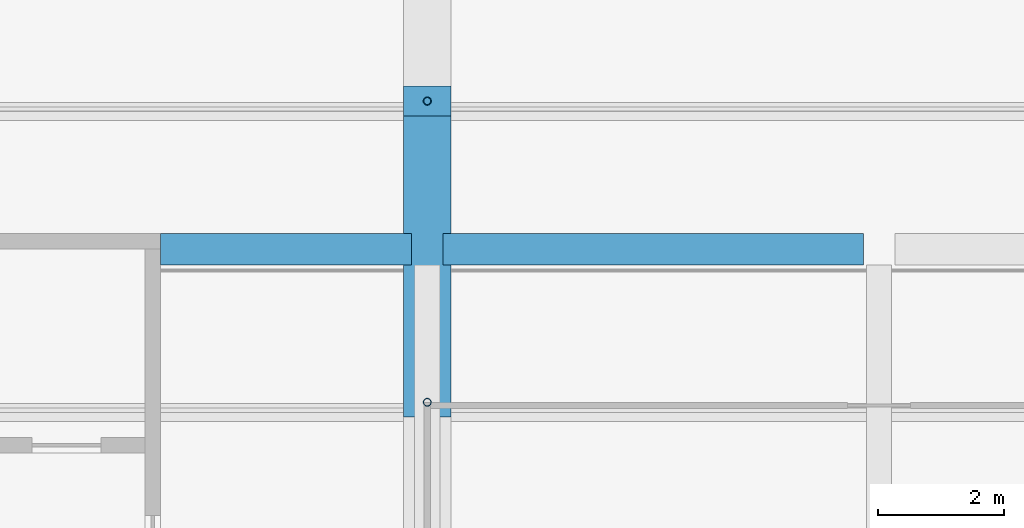
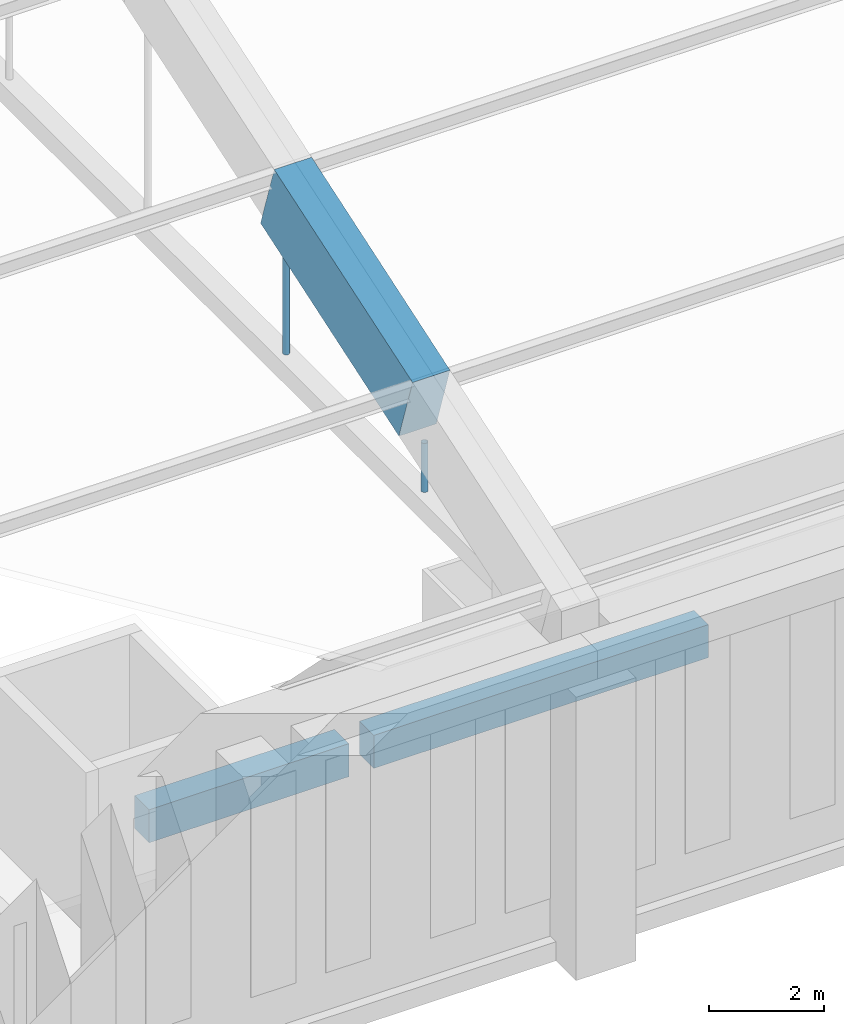
# One storey, part 6 of 149: 3 beams, 2 members.
"""IFC4 building model written with IfcOpenShell, lengths in metres."""

from ifc_helpers import new_model, si_unit, direction, frame, origin, origin_2d, place, context, subcontext, project, spatial, rectangle, hollow_circle, extrude, material, material_profile, profile_set, type_object, element, save


model = new_model("IFC4")

# Units and contexts
model_context = context("Model", 3, precision=1e-05, world=origin(), true_north=direction((0.0, 1.0)))
body_context = subcontext(model_context, "Body", "Model", "MODEL_VIEW")
ifc_project = project(units=[si_unit("LENGTHUNIT", "METRE"), si_unit("AREAUNIT", "SQUARE_METRE"), si_unit("VOLUMEUNIT", "CUBIC_METRE"), si_unit("PLANEANGLEUNIT", "RADIAN"), si_unit("MASSUNIT", "GRAM", prefix="KILO")], contexts=[model_context])

# Site, building, storey
site_placement = place(None, origin())
site = spatial("IfcSite", under=ifc_project, at=site_placement, CompositionType="ELEMENT")
building_placement = place(site_placement, origin())
building = spatial("IfcBuilding", under=site, at=building_placement, Name="Alderwick Market Hall", CompositionType="ELEMENT")
storey_placement = place(building_placement, frame((0.0, 0.0, 9.60009765625)))
storey = spatial("IfcBuildingStorey", under=building, at=storey_placement, Name="L01", CompositionType="ELEMENT", Elevation=9.60009765625)

# Beams
ifc_material_1 = material(Name="Concrete 5000 psi (f'c 35 MPa)", Category="concrete")
ifc_material_profile_1 = material_profile(ifc_material_1, rectangle(XDim=0.5, YDim=0.699951171875, at=origin_2d()), Name="RC 500x700")
ifc_profile_set_1 = profile_set([ifc_material_profile_1], Name="Concrete 5000 psi (f'c 35 MPa)")
beam_type_1 = type_object("IfcBeamType", Name="H Edge beam 500x700", PredefinedType="BEAM", material=ifc_profile_set_1)
beam_1_placement = place(storey_placement, frame((60.550048828125, 57.639892578125, -0.60009765625), z_axis=(1.0, 0.0, 0.0), x_axis=(0.0, 1.0, 0.0)))
element("IfcBeam", 1, at=beam_1_placement, inside=storey, type_object=beam_type_1, Name="Gallery edge beam S", PredefinedType="BEAM", context=body_context, shape_type="SweptSolid", body=[
    extrude(rectangle(XDim=0.5, YDim=0.699951171875, at=origin_2d()), origin(), (0.0, 0.0, 1.0), 4.0),
])
beam_2_placement = place(storey_placement, frame((65.050048828125, 57.639892578125, -0.60009765625), z_axis=(1.0, 0.0, 0.0), x_axis=(0.0, 1.0, 0.0)))
element("IfcBeam", 2, at=beam_2_placement, inside=storey, type_object=beam_type_1, Name="Gallery edge beam S", PredefinedType="BEAM", context=body_context, shape_type="SweptSolid", body=[
    extrude(rectangle(XDim=0.5, YDim=0.699951171875, at=origin_2d()), origin(), (0.0, 0.0, 1.0), 6.699951171875),
])
ifc_material_profile_2 = material_profile(ifc_material_1, rectangle(XDim=0.75, YDim=1.5, at=origin_2d()), Name="RC 750x1500")
ifc_profile_set_2 = profile_set([ifc_material_profile_2], Name="Concrete 5000 psi (f'c 35 MPa)")
beam_type_2 = type_object("IfcBeamType", Name="R Arch Rib Springing 750x1500", PredefinedType="BEAM", material=ifc_profile_set_2)
beam_3_placement = place(storey_placement, frame((64.800048828125, 55.199951171875, 8.199951171875), z_axis=(0.0, 0.948692948114, 0.316198814353), x_axis=(-1.0, 0.0, 0.0)))
element("IfcBeam", 3, at=beam_3_placement, inside=storey, type_object=beam_type_2, Name="Arch rib 2 chord 2", PredefinedType="BEAM", context=body_context, shape_type="SweptSolid", body=[
    extrude(rectangle(XDim=0.75, YDim=1.5, at=origin_2d()), origin(), (0.0, 0.0, 1.0), 5.0595703125),
])

# Members
ifc_material_2 = material(Name="Steel ASTM A500 Grade C", Category="steel")
ifc_material_profile_3 = material_profile(ifc_material_2, hollow_circle(Radius=0.0634765625, WallThickness=0.005859375, at=origin_2d()), Name="HSS5.000x0.250")
ifc_profile_set_3 = profile_set([ifc_material_profile_3], Name="Steel ASTM A500 Grade C")
member_type = type_object("IfcMemberType", Name="R Hanger HSS5.000x0.250", PredefinedType="POST", material=ifc_profile_set_3)
member_1_placement = place(storey_placement, frame((64.800048828125, 55.199951171875, 6.35302734375), z_axis=(0.0, 0.0, 1.0), x_axis=(1.0, 0.0, 0.0)))
element("IfcMember", 4, at=member_1_placement, inside=storey, type_object=member_type, Name="Arch hanger 2.1", PredefinedType="POST", context=body_context, shape_type="SweptSolid", body=[
    extrude(hollow_circle(Radius=0.0634765625, WallThickness=0.005859375, at=origin_2d()), origin(), (0.0, 0.0, 1.0), 1.03515625),
])
member_2_placement = place(storey_placement, frame((64.800048828125, 60.0, 6.35302734375), z_axis=(0.0, 0.0, 1.0), x_axis=(1.0, 0.0, 0.0)))
element("IfcMember", 5, at=member_2_placement, inside=storey, type_object=member_type, Name="Arch hanger 2.2", PredefinedType="POST", context=body_context, shape_type="SweptSolid", body=[
    extrude(hollow_circle(Radius=0.0634765625, WallThickness=0.005859375, at=origin_2d()), origin(), (0.0, 0.0, 1.0), 2.63525390625),
])

save(model, "model.ifc")
